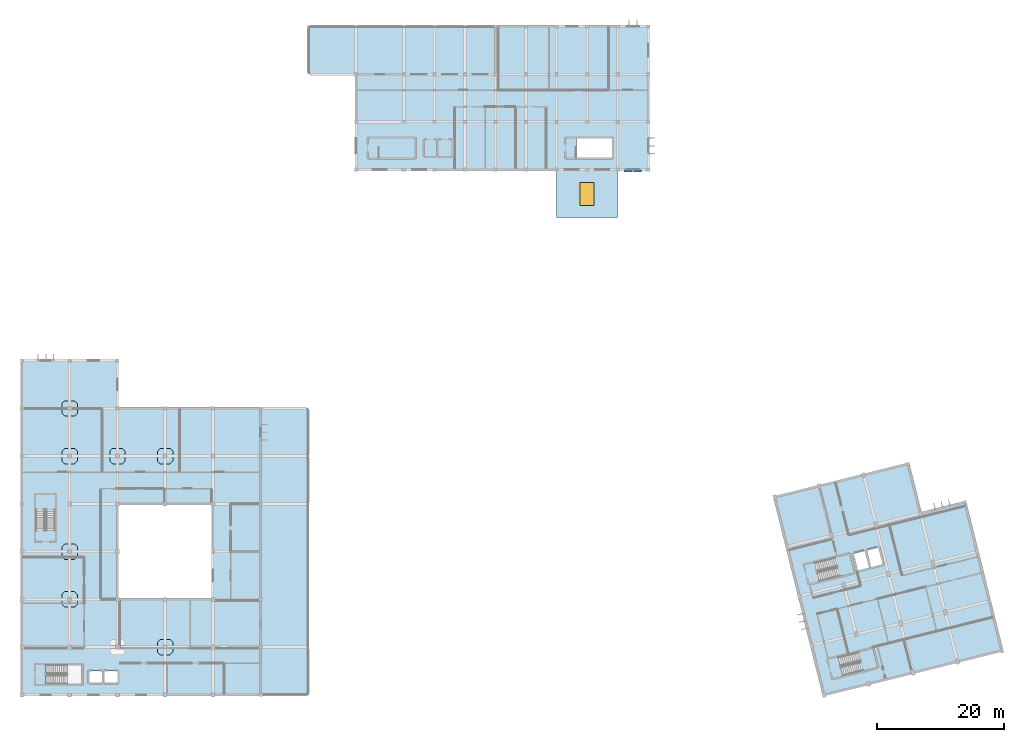
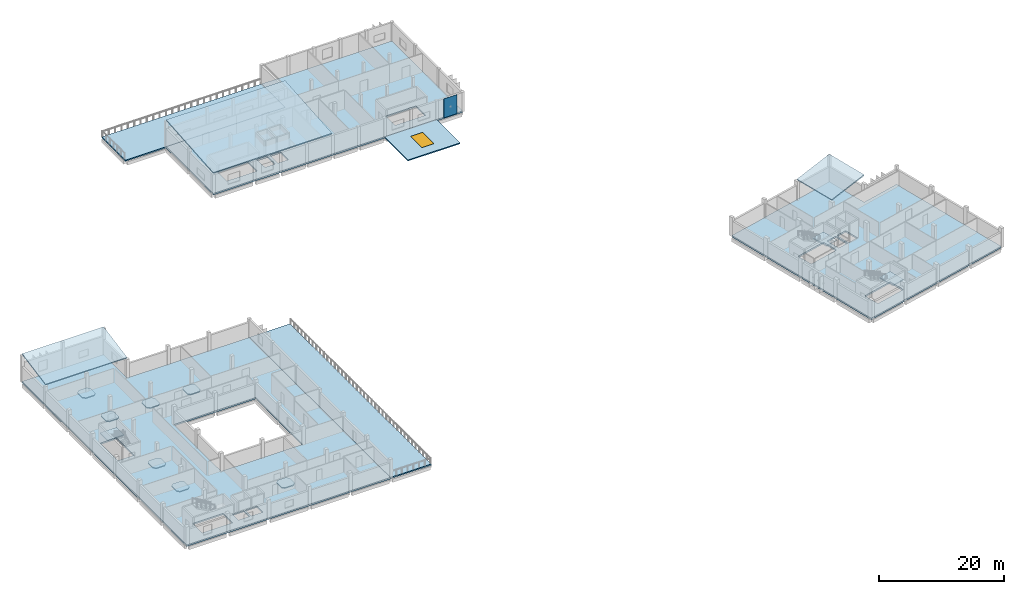
# One storey, part 4 of 21: 19 slabs, 1 plate, 1 window, 1 opening, 3 elements without a shape of their own.
"""IFC4 building model written with IfcOpenShell, lengths in metres."""

from ifc_helpers import new_model, si_unit, direction, frame, origin, origin_2d, place, context, subcontext, project, spatial, polyline, rectangle, outline, extrude, material, layer, layer_set, type_object, element, fill, aggregate, save


model = new_model("IFC4")

# Units and contexts
model_context = context("Model", 3, precision=1e-05, world=origin(), true_north=direction((0.0, 1.0)))
body_context = subcontext(model_context, "Body", "Model", "MODEL_VIEW")
ifc_project = project(units=[si_unit("LENGTHUNIT", "METRE"), si_unit("AREAUNIT", "SQUARE_METRE"), si_unit("VOLUMEUNIT", "CUBIC_METRE"), si_unit("PLANEANGLEUNIT", "RADIAN"), si_unit("MASSUNIT", "GRAM", prefix="KILO")], contexts=[model_context])

# Site, building, storey
site_placement = place(None, origin())
site = spatial("IfcSite", under=ifc_project, at=site_placement, CompositionType="ELEMENT")
building_placement = place(site_placement, origin())
building = spatial("IfcBuilding", under=site, at=building_placement, Name="Mawjan Specialist Oncology Clinic", CompositionType="ELEMENT")
storey_placement = place(building_placement, frame((0.0, 0.0, 13.5)))
storey = spatial("IfcBuildingStorey", under=building, at=storey_placement, Name="L03", CompositionType="ELEMENT", Elevation=13.5)

# Slabs
ifc_material_1 = material(Name="Concrete C35/45", Category="concrete")
ifc_layer_1 = layer(ifc_material_1, 0.199951171875, Name="Concrete C35/45", Category="concrete")
ifc_layer_set_1 = layer_set([ifc_layer_1], Name="Concrete C35/45")
slab_type_1 = type_object("IfcSlabType", Name="DP-200", PredefinedType="FLOOR", material=ifc_layer_set_1)
slab_1_placement = place(storey_placement, frame((0.0, 0.0, -0.5)))
element("IfcSlab", 1, at=slab_1_placement, inside=storey, type_object=slab_type_1, Name="L03 Octagonal Column Drop Panel DP-L03-003", PredefinedType="FLOOR", context=body_context, shape_type="SweptSolid", body=[
    extrude(outline(polyline([(6.719970703125, 14.60009765625), (8.280029296875, 14.60009765625), (8.699951171875, 15.02001953125), (8.699951171875, 16.580078125), (8.280029296875, 17.0), (6.719970703125, 17.0), (6.300048828125, 16.580078125), (6.300048828125, 15.02001953125), (6.719970703125, 14.60009765625)])), origin(), (0.0, 0.0, 1.0), 0.199951171875),
])
slab_2_placement = place(storey_placement, frame((0.0, 0.0, -0.5)))
element("IfcSlab", 2, at=slab_2_placement, inside=storey, type_object=slab_type_1, Name="L03 Octagonal Column Drop Panel DP-L03-008", PredefinedType="FLOOR", context=body_context, shape_type="SweptSolid", body=[
    extrude(outline(polyline([(6.719970703125, 22.10009765625), (8.280029296875, 22.10009765625), (8.699951171875, 22.52001953125), (8.699951171875, 24.080078125), (8.280029296875, 24.5), (6.719970703125, 24.5), (6.300048828125, 24.080078125), (6.300048828125, 22.52001953125), (6.719970703125, 22.10009765625)])), origin(), (0.0, 0.0, 1.0), 0.199951171875),
])
slab_3_placement = place(storey_placement, frame((0.0, 0.0, -0.5)))
element("IfcSlab", 3, at=slab_3_placement, inside=storey, type_object=slab_type_1, Name="L03 Octagonal Column Drop Panel DP-L03-013", PredefinedType="FLOOR", context=body_context, shape_type="SweptSolid", body=[
    extrude(outline(polyline([(6.719970703125, 37.10009765625), (8.280029296875, 37.10009765625), (8.699951171875, 37.52001953125), (8.699951171875, 39.080078125), (8.280029296875, 39.5), (6.719970703125, 39.5), (6.300048828125, 39.080078125), (6.300048828125, 37.52001953125), (6.719970703125, 37.10009765625)])), origin(), (0.0, 0.0, 1.0), 0.199951171875),
])
slab_4_placement = place(storey_placement, frame((0.0, 0.0, -0.5)))
element("IfcSlab", 4, at=slab_4_placement, inside=storey, type_object=slab_type_1, Name="L03 Octagonal Column Drop Panel DP-L03-017", PredefinedType="FLOOR", context=body_context, shape_type="SweptSolid", body=[
    extrude(outline(polyline([(6.719970703125, 44.60009765625), (8.280029296875, 44.60009765625), (8.699951171875, 45.02001953125), (8.699951171875, 46.580078125), (8.280029296875, 47.0), (6.719970703125, 47.0), (6.300048828125, 46.580078125), (6.300048828125, 45.02001953125), (6.719970703125, 44.60009765625)])), origin(), (0.0, 0.0, 1.0), 0.199951171875),
])
slab_5_placement = place(storey_placement, frame((0.0, 0.0, -0.5)))
element("IfcSlab", 5, at=slab_5_placement, inside=storey, type_object=slab_type_1, Name="L03 Octagonal Column Drop Panel DP-L03-031", PredefinedType="FLOOR", context=body_context, shape_type="SweptSolid", body=[
    extrude(outline(polyline([(14.219970703125, 37.10009765625), (15.780029296875, 37.10009765625), (16.199951171875, 37.52001953125), (16.199951171875, 39.080078125), (15.780029296875, 39.5), (14.219970703125, 39.5), (13.800048828125, 39.080078125), (13.800048828125, 37.52001953125), (14.219970703125, 37.10009765625)])), origin(), (0.0, 0.0, 1.0), 0.199951171875),
])
slab_6_placement = place(storey_placement, frame((0.0, 0.0, -0.5)))
element("IfcSlab", 6, at=slab_6_placement, inside=storey, type_object=slab_type_1, Name="L03 Octagonal Column Drop Panel DP-L03-039", PredefinedType="FLOOR", context=body_context, shape_type="SweptSolid", body=[
    extrude(outline(polyline([(21.719970703125, 7.10009765625), (23.280029296875, 7.10009765625), (23.699951171875, 7.52001953125), (23.699951171875, 9.080078125), (23.280029296875, 9.5), (21.719970703125, 9.5), (21.300048828125, 9.080078125), (21.300048828125, 7.52001953125), (21.719970703125, 7.10009765625)])), origin(), (0.0, 0.0, 1.0), 0.199951171875),
])
slab_7_placement = place(storey_placement, frame((0.0, 0.0, -0.5)))
element("IfcSlab", 7, at=slab_7_placement, inside=storey, type_object=slab_type_1, Name="L03 Octagonal Column Drop Panel DP-L03-044", PredefinedType="FLOOR", context=body_context, shape_type="SweptSolid", body=[
    extrude(outline(polyline([(21.719970703125, 37.10009765625), (23.280029296875, 37.10009765625), (23.699951171875, 37.52001953125), (23.699951171875, 39.080078125), (23.280029296875, 39.5), (21.719970703125, 39.5), (21.300048828125, 39.080078125), (21.300048828125, 37.52001953125), (21.719970703125, 37.10009765625)])), origin(), (0.0, 0.0, 1.0), 0.199951171875),
])
ifc_material_2 = material(Name="Concrete C35/45", Category="concrete")
ifc_layer_2 = layer(ifc_material_2, 0.300048828125, Name="Concrete C35/45", Category="concrete")
ifc_layer_set_2 = layer_set([ifc_layer_2], Name="Concrete C35/45")
slab_type_2 = type_object("IfcSlabType", Name="FS-300", PredefinedType="FLOOR", material=ifc_layer_set_2)
slab_8_placement = place(storey_placement, frame((0.0, 0.0, -0.300048828125)))
element("IfcSlab", 8, at=slab_8_placement, inside=storey, type_object=slab_type_2, Name="L03 Outpatient Consulting Courts Wing Slab SLB-V4-L03", PredefinedType="FLOOR", context=body_context, shape_type="SweptSolid", body=[
    extrude(outline(polyline([(0.0, 0.800048828125), (37.5, 0.800048828125), (37.5, 45.800048828125), (15.0, 45.800048828125), (15.0, 53.300048828125), (0.0, 53.300048828125), (0.0, 0.800048828125)]), holes=[polyline([(15.0, 15.800048828125), (30.0, 15.800048828125), (30.0, 30.800048828125), (15.0, 30.800048828125), (15.0, 15.800048828125)]), polyline([(3.800048828125, 2.5), (9.39990234375, 2.5), (9.39990234375, 5.5), (3.800048828125, 5.5), (3.800048828125, 2.5)]), polyline([(10.550048828125, 2.64990234375), (12.64990234375, 2.64990234375), (12.64990234375, 4.550048828125), (10.550048828125, 4.550048828125), (10.550048828125, 2.64990234375)]), polyline([(12.949951171875, 2.64990234375), (15.050048828125, 2.64990234375), (15.050048828125, 4.550048828125), (12.949951171875, 4.550048828125), (12.949951171875, 2.64990234375)]), polyline([(5.199951171875, 26.60009765625), (5.199951171875, 32.199951171875), (2.199951171875, 32.199951171875), (2.199951171875, 26.60009765625), (5.199951171875, 26.60009765625)])]), origin(), (0.0, 0.0, 1.0), 0.300048828125),
])
slab_9_placement = place(storey_placement, frame((0.0, 0.0, -0.300048828125)))
element("IfcSlab", 9, at=slab_9_placement, inside=storey, type_object=slab_type_2, Name="L03 Day Procedure and Pharmacy Wing Slab SLB-V5-L03", PredefinedType="FLOOR", context=body_context, shape_type="SweptSolid", body=[
    extrude(outline(polyline([(52.5, 83.300048828125), (98.39990234375, 83.300048828125), (98.39990234375, 105.800048828125), (74.39990234375, 105.800048828125), (74.39990234375, 98.300048828125), (52.5, 98.300048828125), (52.5, 83.300048828125)]), holes=[polyline([(56.10009765625, 85.199951171875), (61.699951171875, 85.199951171875), (61.699951171875, 88.199951171875), (56.10009765625, 88.199951171875), (56.10009765625, 85.199951171875)]), polyline([(63.25, 85.449951171875), (65.14990234375, 85.449951171875), (65.14990234375, 87.949951171875), (63.25, 87.949951171875), (63.25, 85.449951171875)]), polyline([(65.64990234375, 85.449951171875), (67.550048828125, 85.449951171875), (67.550048828125, 87.949951171875), (65.64990234375, 87.949951171875), (65.64990234375, 85.449951171875)]), polyline([(87.10009765625, 85.199951171875), (92.699951171875, 85.199951171875), (92.699951171875, 88.199951171875), (87.10009765625, 88.199951171875), (87.10009765625, 85.199951171875)])]), origin(), (0.0, 0.0, 1.0), 0.300048828125),
])
ifc_material_3 = material(Name="Concrete C35/45", Category="concrete")
ifc_layer_3 = layer(ifc_material_3, 0.300048828125, Name="Concrete C35/45", Category="concrete")
ifc_layer_set_3 = layer_set([ifc_layer_3], Name="Concrete C35/45")
slab_type_3 = type_object("IfcSlabType", Name="FS-300R", PredefinedType="FLOOR", material=ifc_layer_set_3)
slab_10_placement = place(storey_placement, frame((0.0, 0.0, -0.300048828125)))
element("IfcSlab", 10, at=slab_10_placement, inside=storey, type_object=slab_type_3, Name="L03 Research and Teaching Wing Slab SLB-V6-L03", PredefinedType="FLOOR", context=body_context, shape_type="SweptSolid", body=[
    extrude(outline(polyline([(126.0, 0.800048828125), (153.944580078125, 7.767333984375), (148.138427734375, 31.054443359375), (141.15234375, 29.3125), (139.216796875, 37.074951171875), (118.258544921875, 31.849365234375), (126.0, 0.800048828125)]), holes=[polyline([(125.259521484375, 18.651123046875), (130.693115234375, 20.005859375), (129.96728515625, 22.916748046875), (124.53369140625, 21.56201171875), (125.259521484375, 18.651123046875)]), polyline([(131.28759765625, 20.30859375), (133.131103515625, 20.768310546875), (132.477783203125, 23.38818359375), (130.63427734375, 22.928466796875), (131.28759765625, 20.30859375)]), polyline([(133.422119140625, 20.8408203125), (135.265625, 21.300537109375), (134.612548828125, 23.92041015625), (132.76904296875, 23.460693359375), (133.422119140625, 20.8408203125)]), polyline([(128.9609375, 3.8056640625), (134.39453125, 5.160400390625), (133.668701171875, 8.0712890625), (128.235107421875, 6.716552734375), (128.9609375, 3.8056640625)])]), origin(), (0.0, 0.0, 1.0), 0.300048828125),
])

# Stair, slab
ifc_material_4 = material(Name="Concrete C35/45", Category="concrete")
stair_type = type_object("IfcStairType", Name="STR-CORE40", PredefinedType="HALF_TURN_STAIR", material=ifc_material_4)
stair_1_placement = place(storey_placement, origin())
stair_1 = element("IfcStair", 11, at=stair_1_placement, inside=storey, type_object=stair_type, Name="L03 Exit Stair ST-02", PredefinedType="HALF_TURN_STAIR")
ifc_material_5 = material(Name="Concrete C35/45", Category="concrete")
ifc_layer_4 = layer(ifc_material_5, 0.199951171875, Name="Concrete C35/45", Category="concrete")
ifc_layer_set_4 = layer_set([ifc_layer_4], Name="Concrete C35/45")
slab_type_4 = type_object("IfcSlabType", Name="LND-200", PredefinedType="LANDING", material=ifc_layer_set_4)
slab_11_placement = place(storey_placement, frame((0.0, 0.0, 1.800048828125)))
slab_11 = element("IfcSlab", 12, at=slab_11_placement, type_object=slab_type_4, Name="ST-02 landing 1", PredefinedType="LANDING", context=body_context, shape_type="SweptSolid", body=[
    extrude(outline(polyline([(5.24755859375, 29.863525390625), (5.24755859375, 32.236572265625), (2.15234375, 32.236572265625), (2.15234375, 29.863525390625), (5.24755859375, 29.863525390625)])), origin(), (0.0, 0.0, 1.0), 0.199951171875),
])
aggregate(stair_1, [slab_11])

stair_2_placement = place(storey_placement, origin())
stair_2 = element("IfcStair", 13, at=stair_2_placement, inside=storey, type_object=stair_type, Name="L03 Exit Stair ST-05", PredefinedType="HALF_TURN_STAIR")
slab_12_placement = place(storey_placement, frame((0.0, 0.0, 1.800048828125)))
slab_12 = element("IfcSlab", 14, at=slab_12_placement, type_object=slab_type_4, Name="ST-05 landing 1", PredefinedType="LANDING", context=body_context, shape_type="SweptSolid", body=[
    extrude(outline(polyline([(128.4375, 19.394287109375), (130.739990234375, 19.968505859375), (129.9912109375, 22.9716796875), (127.688720703125, 22.397705078125), (128.4375, 19.394287109375)])), origin(), (0.0, 0.0, 1.0), 0.199951171875),
])
aggregate(stair_2, [slab_12])

stair_3_placement = place(storey_placement, origin())
stair_3 = element("IfcStair", 15, at=stair_3_placement, inside=storey, type_object=stair_type, Name="L03 Exit Stair ST-06", PredefinedType="HALF_TURN_STAIR")
slab_13_placement = place(storey_placement, frame((0.0, 0.0, 1.800048828125)))
slab_13 = element("IfcSlab", 16, at=slab_13_placement, type_object=slab_type_4, Name="ST-06 landing 1", PredefinedType="LANDING", context=body_context, shape_type="SweptSolid", body=[
    extrude(outline(polyline([(132.138916015625, 4.548828125), (134.44140625, 5.123046875), (133.692626953125, 8.126220703125), (131.39013671875, 7.55224609375), (132.138916015625, 4.548828125)])), origin(), (0.0, 0.0, 1.0), 0.199951171875),
])
aggregate(stair_3, [slab_13])

# Slab, opening, window
ifc_material_6 = material(Name="Concrete C35/45", Category="concrete")
ifc_layer_5 = layer(ifc_material_6, 0.199951171875, Name="Concrete C35/45", Category="concrete")
ifc_layer_set_5 = layer_set([ifc_layer_5], Name="Concrete C35/45")
slab_type_5 = type_object("IfcSlabType", Name="RF-OVR200", PredefinedType="ROOF", material=ifc_layer_set_5)
slab_14_placement = place(storey_placement, frame((0.0, 0.0, -0.199951171875)))
slab_14 = element("IfcSlab", 17, at=slab_14_placement, inside=storey, type_object=slab_type_5, Name="Courtyard Skybridge Roof Slab", PredefinedType="ROOF", context=body_context, shape_type="SweptSolid", body=[
    extrude(outline(polyline([(84.0, 75.800048828125), (93.60009765625, 75.800048828125), (93.60009765625, 83.300048828125), (84.0, 83.300048828125), (84.0, 75.800048828125)])), origin(), (0.0, 0.0, 1.0), 0.199951171875),
])
opening_placement = place(slab_14_placement, frame((88.800048828125, 79.5, 0.0)))
opening = element("IfcOpeningElement", 18, at=opening_placement, cuts=slab_14, Name="Opening SK-09", PredefinedType="OPENING", context=body_context, shape_type="SweptSolid", body=[
    extrude(rectangle(XDim=2.199951171875, YDim=3.60009765625, at=origin_2d()), origin(), (0.0, 0.0, 1.0), 0.199951171875),
])
ifc_material_7 = material(Name="Laminated solar-control skylight assembly", Category="glass")
window_type = type_object("IfcWindowType", Name="SK-09", PartitioningType="SINGLE_PANEL", PredefinedType="SKYLIGHT", material=ifc_material_7)
window_placement = place(opening_placement, frame((0.0, 0.0, 0.14990234375)))
window = element("IfcWindow", 19, at=window_placement, inside=storey, type_object=window_type, Name="L03 Roof Skylight and Smoke Hatch 09", OverallHeight=3.60009765625, OverallWidth=2.199951171875, PartitioningType="SINGLE_PANEL", PredefinedType="SKYLIGHT", context=body_context, shape_type="SweptSolid", body=[
    extrude(rectangle(XDim=2.199951171875, YDim=3.60009765625, at=origin_2d()), origin(), (0.0, 0.0, 1.0), 0.050048828125),
])
fill(opening, window)

# Slabs
ifc_material_8 = material(Name="Concrete C35/45", Category="concrete")
ifc_layer_6 = layer(ifc_material_8, 0.219970703125, Name="Concrete C35/45", Category="concrete")
ifc_layer_set_6 = layer_set([ifc_layer_6], Name="Concrete C35/45")
slab_type_6 = type_object("IfcSlabType", Name="RF-SLP220", PredefinedType="ROOF", material=ifc_layer_set_6)
slab_15_placement = place(storey_placement, frame((52.5, 83.300048828125, 4.050048828125), z_axis=(0.0, -0.079741998075, 0.996815536467), x_axis=(1.0, 0.0, 0.0)))
element("IfcSlab", 20, at=slab_15_placement, inside=storey, type_object=slab_type_6, Name="Day Procedure Wing L03 Sloped Roof West", PredefinedType="ROOF", context=body_context, shape_type="SweptSolid", body=[
    extrude(outline(polyline([(0.0, 0.0), (21.8798828125, 0.0), (21.8798828125, 15.047919551050379), (0.0, 15.047919551050379), (0.0, 0.0)])), origin(), (0.0, 0.0, -1.0), 0.219970703125),
])
slab_16_placement = place(storey_placement, frame((0.0, 45.820068359375, 3.949951171875), z_axis=(0.0, -0.187767620395, 0.982213480223), x_axis=(1.0, 0.0, 0.0)))
element("IfcSlab", 21, at=slab_16_placement, inside=storey, type_object=slab_type_6, Name="Outpatient Wing L03 North Step-Back Sloped Roof", PredefinedType="ROOF", context=body_context, shape_type="SweptSolid", body=[
    extrude(outline(polyline([(0.0, 0.0), (15.0, 0.0), (15.0, 7.615432509696477), (0.0, 7.615432509696477), (0.0, 0.0)])), origin(), (0.0, 0.0, -1.0), 0.219970703125),
])
slab_17_placement = place(storey_placement, frame((134.1806640625, 27.594970703125, 3.949951171875), z_axis=(-0.184436893453, -0.04598564512, 0.981767972984), x_axis=(-0.241909811129, 0.970298739189, 2.769922e-06)))
element("IfcSlab", 22, at=slab_17_placement, inside=storey, type_object=slab_type_6, Name="Research Wing L03 North-East Sloped Roof", PredefinedType="ROOF", context=body_context, shape_type="SweptSolid", body=[
    extrude(outline(polyline([(0.0, 0.0), (7.979932956537526, 0.0), (7.980127009443307, -7.313187841358312), (0.00013499289329869392, -7.313420411757175), (0.0, 0.0)])), origin(), (0.0, 0.0, -1.0), 0.219970703125),
])
ifc_material_9 = material(Name="Concrete C35/45", Category="concrete")
ifc_layer_7 = layer(ifc_material_9, 0.25, Name="Concrete C35/45", Category="concrete")
ifc_layer_set_7 = layer_set([ifc_layer_7], Name="Concrete C35/45")
slab_type_7 = type_object("IfcSlabType", Name="RT-250", PredefinedType="ROOF", material=ifc_layer_set_7)
slab_18_placement = place(storey_placement, frame((0.0, 0.0, -0.25)))
element("IfcSlab", 23, at=slab_18_placement, inside=storey, type_object=slab_type_7, Name="L03 Accessible Healing Terrace TER-V4-L03", PredefinedType="ROOF", context=body_context, shape_type="SweptSolid", body=[
    extrude(outline(polyline([(37.5, 0.800048828125), (45.0, 0.800048828125), (45.0, 45.800048828125), (37.5, 45.800048828125), (37.5, 0.800048828125)])), origin(), (0.0, 0.0, 1.0), 0.25),
])
slab_19_placement = place(storey_placement, frame((0.0, 0.0, -0.25)))
element("IfcSlab", 24, at=slab_19_placement, inside=storey, type_object=slab_type_7, Name="L03 Accessible Healing Terrace TER-V5-L03", PredefinedType="ROOF", context=body_context, shape_type="SweptSolid", body=[
    extrude(outline(polyline([(45.0, 98.300048828125), (74.39990234375, 98.300048828125), (74.39990234375, 105.800048828125), (45.0, 105.800048828125), (45.0, 98.300048828125)])), origin(), (0.0, 0.0, 1.0), 0.25),
])

# Plate
ifc_material_10 = material(Name="Perforated coral-toned GFRC rawshan screen", Category="stone")
ifc_layer_8 = layer(ifc_material_10, 0.06005859375, Name="Perforated coral-toned GFRC rawshan screen", Category="stone")
ifc_layer_set_8 = layer_set([ifc_layer_8], Name="Perforated coral-toned GFRC rawshan screen")
plate_type = type_object("IfcPlateType", Name="RWS-60", PredefinedType="SHEET", material=ifc_layer_set_8)
plate_placement = place(storey_placement, frame((96.0, 83.10302734375, 0.0), z_axis=(0.0, 0.0, 1.0), x_axis=(-1.0, 0.0, 0.0)))
element("IfcPlate", 25, at=plate_placement, inside=storey, type_object=plate_type, Name="L03 Perforated Rawshan Screen Panel 010", PredefinedType="SHEET", context=body_context, shape_type="SweptSolid", body=[
    extrude(rectangle(XDim=2.39990234375, YDim=0.06005859375, at=origin_2d()), origin(), (0.0, 0.0, 1.0), 3.699951171875),
])

save(model, "model.ifc")
